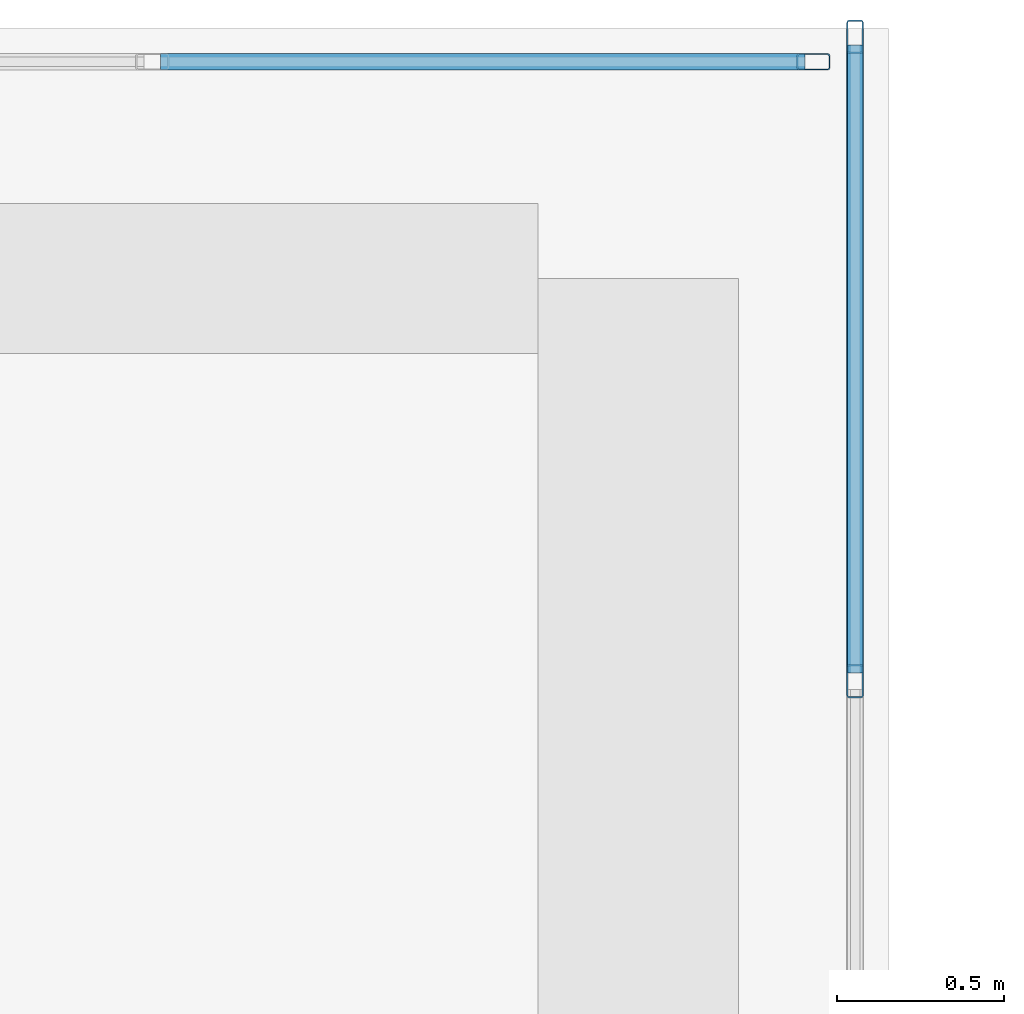
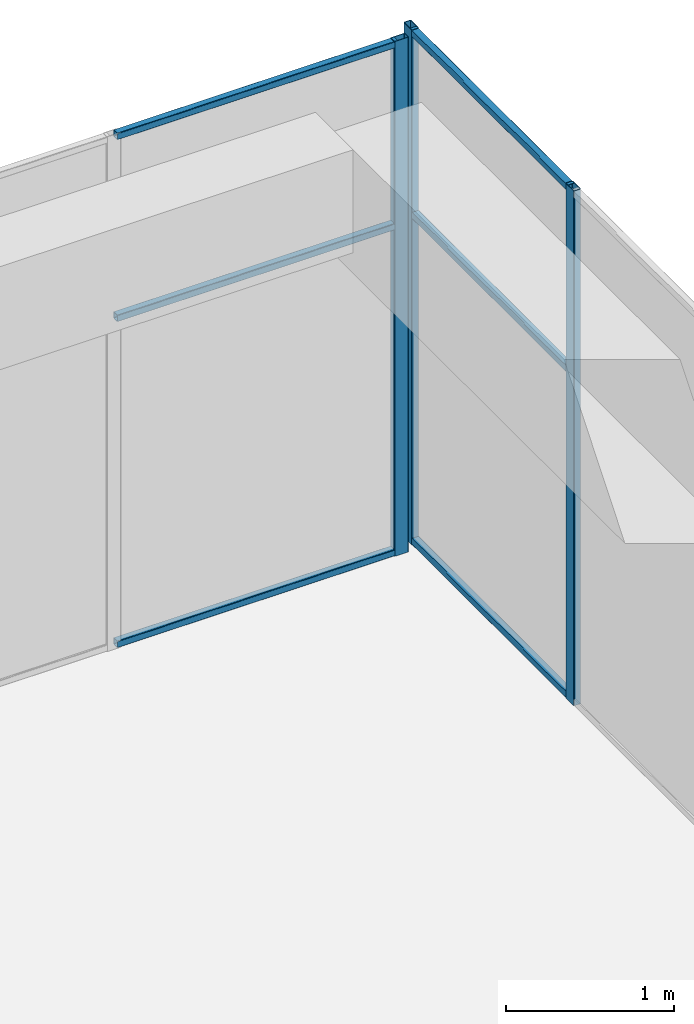
# One storey, part 27 of 34: 9 members, 2 elements without a shape of their own.
"""IFC4 building model written with IfcOpenShell, lengths in metres."""

import ifcopenshell
import ifcopenshell.guid

model = None  # the IFC model being written
_history = None  # IfcOwnerHistory: only IFC2X3 demands one
_inside = {}  # id of a spatial element -> (the spatial element, [elements in it])
_under = {}  # id of a project, library or spatial element -> (it, [spatial elements below it])
_declared = {}  # id of a project -> (the project, [libraries it declares])
_typed = {}  # id of a type object -> (the type object, [elements of that type])
_made_of = {}  # id of a material, layer set ... -> (it, [elements and type objects made of it])


def new_model(schema):
    """Start an empty IFC model of exactly this schema.

    Asked for "IFC4X3", IfcOpenShell would pick the latest addendum, in which some entities
    have other attributes; the version numbers below select the first issue.
    IFC2X3 requires an IfcOwnerHistory on every rooted entity: one is made here for all.
    """
    global model, _history
    if schema == "IFC4X3":
        model = ifcopenshell.file(schema_version=(4, 3, 0, 0))
    else:
        model = ifcopenshell.file(schema=schema)
    _inside.clear()
    _under.clear()
    _declared.clear()
    _typed.clear()
    _made_of.clear()
    _history = None
    if model.schema == "IFC2X3":
        org = make("IfcOrganization", Name="unknown")
        user = make(
            "IfcPersonAndOrganization",
            ThePerson=make("IfcPerson", FamilyName="unknown"),
            TheOrganization=org,
        )
        app = make(
            "IfcApplication",
            ApplicationDeveloper=org,
            Version="unknown",
            ApplicationFullName="unknown",
            ApplicationIdentifier="unknown",
        )
        _history = make(
            "IfcOwnerHistory",
            OwningUser=user,
            OwningApplication=app,
            ChangeAction="ADDED",
            CreationDate=0,
        )
    return model


def make(cls, **values):
    """One entity of the class cls with the attributes given. An attribute that is None is left unset."""
    return model.create_entity(
        cls, **{name: value for name, value in values.items() if value is not None}
    )


def rooted(cls, **values):
    """An entity with a GlobalId (a new one), such as an element, a storey or a relation."""
    return make(cls, GlobalId=ifcopenshell.guid.new(), OwnerHistory=_history, **values)


def si_unit(unit_type, name, prefix=None):
    """IfcSIUnit, for example si_unit("LENGTHUNIT", "METRE", prefix="MILLI")."""
    return make("IfcSIUnit", UnitType=unit_type, Prefix=prefix, Name=name)


def assignment(units):
    """IfcUnitAssignment: the units of a project."""
    return None if units is None else make("IfcUnitAssignment", Units=units)


def point(xyz):
    """IfcCartesianPoint."""
    return None if xyz is None else make("IfcCartesianPoint", Coordinates=xyz)


def direction(xyz):
    """IfcDirection."""
    return None if xyz is None else make("IfcDirection", DirectionRatios=xyz)


def frame(location, z_axis=None, x_axis=None):
    """IfcAxis2Placement3D, a coordinate frame: its origin and axes. An axis left out is left unset."""
    return make(
        "IfcAxis2Placement3D",
        Location=point(location),
        Axis=direction(z_axis),
        RefDirection=direction(x_axis),
    )


def frame_2d(location, x_axis=None):
    """IfcAxis2Placement2D, a coordinate frame in the plane: its origin and x axis."""
    return make(
        "IfcAxis2Placement2D", Location=point(location), RefDirection=direction(x_axis)
    )


def origin():
    """The frame at (0, 0, 0) with its axes left unset."""
    return frame((0.0, 0.0, 0.0))


def origin_2d():
    """The frame at (0, 0) in the plane with its x axis left unset."""
    return frame_2d((0.0, 0.0))


def place(relative_to, where):
    """IfcLocalPlacement: puts the frame where relative to a parent placement (None: the world)."""
    return make(
        "IfcLocalPlacement", PlacementRelTo=relative_to, RelativePlacement=where
    )


def context(
    kind, dimensions, precision=None, world=None, true_north=None, identifier=None
):
    """IfcGeometricRepresentationContext, for example the 3D "Model" context."""
    return make(
        "IfcGeometricRepresentationContext",
        ContextIdentifier=identifier,
        ContextType=kind,
        CoordinateSpaceDimension=dimensions,
        Precision=precision,
        WorldCoordinateSystem=world,
        TrueNorth=true_north,
    )


def subcontext(parent, identifier, kind, view, scale=None):
    """IfcGeometricRepresentationSubContext, for example "Body" below "Model"."""
    return make(
        "IfcGeometricRepresentationSubContext",
        ContextIdentifier=identifier,
        ContextType=kind,
        ParentContext=parent,
        TargetScale=scale,
        TargetView=view,
    )


def project(units=None, contexts=None):
    """IfcProject with its units and contexts."""
    return rooted(
        "IfcProject",
        Name="project",
        RepresentationContexts=contexts,
        UnitsInContext=assignment(units),
    )


def spatial(cls, under=None, at=None, **own):
    """A site, building, storey or space (cls), placed at a placement, below another one or the project."""
    s = rooted(cls, ObjectPlacement=at, **own)
    if under is not None:
        _under.setdefault(under.id(), (under, []))[1].append(s)
    return s


def profile(cls, at=None, kind="AREA", **sizes):
    """A parametric profile (cls). Its sizes go by their IFC names, for example OverallWidth=200.0."""
    return make(cls, ProfileType=kind, Position=at, **sizes)


def hollow_rectangle(**sizes):
    """IfcRectangleHollowProfileDef."""
    return profile("IfcRectangleHollowProfileDef", **sizes)


def extrude(swept, where, along, depth):
    """IfcExtrudedAreaSolid: the profile swept, set in the frame where, extruded along a direction by depth."""
    return make(
        "IfcExtrudedAreaSolid",
        SweptArea=swept,
        Position=where,
        ExtrudedDirection=direction(along),
        Depth=depth,
    )


def shape(context_of_items, identifier, shape_type, items):
    """IfcShapeRepresentation: the items that make up one representation, for example the "Body"."""
    return make(
        "IfcShapeRepresentation",
        ContextOfItems=context_of_items,
        RepresentationIdentifier=identifier,
        RepresentationType=shape_type,
        Items=items,
    )


def material(Name=None, Category=None):
    """IfcMaterial."""
    return make("IfcMaterial", Name=Name, Category=Category)


def layer(
    of_material, thickness, ventilated=None, Name=None, Category=None, Priority=None
):
    """IfcMaterialLayer: one layer of a wall or slab, of a material (None: an air gap)."""
    return make(
        "IfcMaterialLayer",
        Material=of_material,
        LayerThickness=thickness,
        IsVentilated=ventilated,
        Name=Name,
        Category=Category,
        Priority=Priority,
    )


def layer_set(layers, Name=None):
    """IfcMaterialLayerSet."""
    return make("IfcMaterialLayerSet", MaterialLayers=layers, LayerSetName=Name)


def material_profile(
    of_material, cross_section, Name=None, Category=None, Priority=None
):
    """IfcMaterialProfile: a cross section and its material."""
    return make(
        "IfcMaterialProfile",
        Name=Name,
        Material=of_material,
        Profile=cross_section,
        Priority=Priority,
        Category=Category,
    )


def profile_set(profiles, Name=None, composite=None):
    """IfcMaterialProfileSet."""
    return make(
        "IfcMaterialProfileSet",
        Name=Name,
        MaterialProfiles=profiles,
        CompositeProfile=composite,
    )


def made_of(thing, what):
    """Note that an element or type object is made of a material, layer set ...; save() writes the relation."""
    if what is not None:
        _made_of.setdefault(what.id(), (what, []))[1].append(thing)
    return thing


def type_object(cls, material=None, **own):
    """A type object (cls), such as IfcWallType, which elements share."""
    return made_of(rooted(cls, **own), material)


def element(
    cls,
    number,
    at=None,
    inside=None,
    cuts=None,
    type_object=None,
    material=None,
    context=None,
    identifier="Body",
    shape_type=None,
    held_by="IfcProductDefinitionShape",
    body=None,
    shapes=None,
    **own,
):
    """One element of the class cls, such as IfcWall. Its Tag is "e" and its number.

    at: its placement. inside: the storey or other place that contains it. cuts: it is an
    opening in that element (IfcRelVoidsElement). A single representation is given by context,
    identifier, shape_type and body (its items); several are given by shapes. held_by: the class
    of the entity that holds the representations. save() writes the other relations.
    """
    e = rooted(cls, Tag="e%d" % number, ObjectPlacement=at, **own)
    if body is not None:
        shapes = [shape(context, identifier, shape_type, body)]
    if shapes is not None:
        e.Representation = make(held_by, Representations=shapes)
    if inside is not None:
        _inside.setdefault(inside.id(), (inside, []))[1].append(e)
    if cuts is not None:
        rooted(
            "IfcRelVoidsElement", RelatingBuildingElement=cuts, RelatedOpeningElement=e
        )
    if type_object is not None:
        _typed.setdefault(type_object.id(), (type_object, []))[1].append(e)
    return made_of(e, material)


def aggregate(whole, parts):
    """IfcRelAggregates: a whole, such as a stair, and the parts it consists of."""
    return rooted("IfcRelAggregates", RelatingObject=whole, RelatedObjects=parts)


def save(model, path):
    """Write the relations noted so far, then the file.

    IfcRelAggregates (storeys below a building ...), IfcRelContainedInSpatialStructure (elements
    in a storey), IfcRelDefinesByType, IfcRelAssociatesMaterial and IfcRelDeclares: one each for
    every whole, place, type object, material and project.
    """
    for whole, parts in _under.values():
        aggregate(whole, parts)
    for where, things in _inside.values():
        rooted(
            "IfcRelContainedInSpatialStructure",
            RelatedElements=things,
            RelatingStructure=where,
        )
    for kind, things in _typed.values():
        rooted("IfcRelDefinesByType", RelatedObjects=things, RelatingType=kind)
    for what, things in _made_of.values():
        rooted("IfcRelAssociatesMaterial", RelatedObjects=things, RelatingMaterial=what)
    for by, libraries in _declared.values():
        rooted("IfcRelDeclares", RelatingContext=by, RelatedDefinitions=libraries)
    model.write(path)


model = new_model("IFC4")

# Units and contexts
model_context = context("Model", 3, precision=1e-05, world=origin(), true_north=direction((0.0, 1.0)))
body_context = subcontext(model_context, "Body", "Model", "MODEL_VIEW")
ifc_project = project(units=[si_unit("LENGTHUNIT", "METRE"), si_unit("AREAUNIT", "SQUARE_METRE"), si_unit("VOLUMEUNIT", "CUBIC_METRE"), si_unit("PLANEANGLEUNIT", "RADIAN"), si_unit("MASSUNIT", "GRAM", prefix="KILO")], contexts=[model_context])

# Site, building, storey
site_placement = place(None, origin())
site = spatial("IfcSite", under=ifc_project, at=site_placement, CompositionType="ELEMENT")
building_placement = place(site_placement, origin())
building = spatial("IfcBuilding", under=site, at=building_placement, Name="Tuart Plaza Theatre", CompositionType="ELEMENT")
storey_placement = place(building_placement, frame((0.0, 0.0, 57.5)))
storey = spatial("IfcBuildingStorey", under=building, at=storey_placement, Name="L14", CompositionType="ELEMENT", Elevation=57.5)

# Curtain wall, members
ifc_material_1 = material(Name="Aluminium and glass", Category="aluminium")
ifc_layer = layer(ifc_material_1, 0.10009765625)
ifc_layer_set = layer_set([ifc_layer], Name="CURTAIN WALL 2000 module")
curtain_wall_type = type_object("IfcCurtainWallType", Name="CURTAIN WALL 2000 module", PredefinedType="NOTDEFINED", material=ifc_layer_set)
curtain_wall_1_placement = place(storey_placement, origin())
curtain_wall_1 = element("IfcCurtainWall", 1, at=curtain_wall_1_placement, inside=storey, type_object=curtain_wall_type, Name="CW116", PredefinedType="NOTDEFINED")
ifc_material_2 = material(Name="Aluminium 6063-T5", Category="aluminium")
ifc_material_profile_1 = material_profile(ifc_material_2, hollow_rectangle(XDim=0.050048828125, YDim=0.10009765625, WallThickness=0.00390625, InnerFilletRadius=0.00390625, OuterFilletRadius=0.008056640625, at=origin_2d()), Name="RHS 100x50x4")
ifc_profile_set_1 = profile_set([ifc_material_profile_1], Name="Aluminium 6063-T5")
member_type_1 = type_object("IfcMemberType", Name="MULLION RHS 100x50x4", PredefinedType="MULLION", material=ifc_profile_set_1)
member_1_placement = place(storey_placement, frame((141.64990234375, 95.29296875, 0.0), z_axis=(0.0, 0.0, 1.0), x_axis=(-1.0, 0.0, 0.0)))
member_1 = element("IfcMember", 2, at=member_1_placement, type_object=member_type_1, Name="CW116 mullion 7", PredefinedType="MULLION", context=body_context, shape_type="SweptSolid", body=[
    extrude(hollow_rectangle(XDim=0.050048828125, YDim=0.10009765625, WallThickness=0.00390625, InnerFilletRadius=0.00390625, OuterFilletRadius=0.008056640625, at=origin_2d()), origin(), (0.0, 0.0, 1.0), 3.75),
])
member_2_placement = place(storey_placement, frame((141.64990234375, 97.22509765625, 0.0), z_axis=(0.0, 0.0, 1.0), x_axis=(-1.0, 0.0, 0.0)))
member_2 = element("IfcMember", 3, at=member_2_placement, type_object=member_type_1, Name="CW116 mullion 8", PredefinedType="MULLION", context=body_context, shape_type="SweptSolid", body=[
    extrude(hollow_rectangle(XDim=0.050048828125, YDim=0.10009765625, WallThickness=0.00390625, InnerFilletRadius=0.00390625, OuterFilletRadius=0.008056640625, at=origin_2d()), origin(), (0.0, 0.0, 1.0), 3.75),
])

# Curtain wall, member
curtain_wall_2_placement = place(storey_placement, origin())
curtain_wall_2 = element("IfcCurtainWall", 4, at=curtain_wall_2_placement, inside=storey, type_object=curtain_wall_type, Name="CW117", PredefinedType="NOTDEFINED")
member_3_placement = place(storey_placement, frame((141.52490234375, 97.14990234375, 0.0), z_axis=(0.0, 0.0, 1.0), x_axis=(0.0, -1.0, 0.0)))
member_3 = element("IfcMember", 5, at=member_3_placement, type_object=member_type_1, Name="CW117 mullion 1", PredefinedType="MULLION", context=body_context, shape_type="SweptSolid", body=[
    extrude(hollow_rectangle(XDim=0.050048828125, YDim=0.10009765625, WallThickness=0.00390625, InnerFilletRadius=0.00390625, OuterFilletRadius=0.008056640625, at=origin_2d()), origin(), (0.0, 0.0, 1.0), 3.75),
])

# Member
ifc_material_3 = material(Name="Aluminium 6063-T5", Category="aluminium")
ifc_material_profile_2 = material_profile(ifc_material_3, hollow_rectangle(XDim=0.050048828125, YDim=0.050048828125, WallThickness=0.00390625, InnerFilletRadius=0.00390625, OuterFilletRadius=0.008056640625, at=origin_2d()), Name="RHS 50x50x4")
ifc_profile_set_2 = profile_set([ifc_material_profile_2], Name="Aluminium 6063-T5")
member_type_2 = type_object("IfcMemberType", Name="TRANSOM RHS 50x50x4", PredefinedType="USERDEFINED", material=ifc_profile_set_2)
member_4_placement = place(storey_placement, frame((141.64990234375, 95.31787109375, 0.02490234375), z_axis=(0.0, 1.0, 0.0), x_axis=(-1.0, 0.0, 0.0)))
member_4 = element("IfcMember", 6, at=member_4_placement, type_object=member_type_2, Name="CW116 transom 7.1", ObjectType="TRANSOM", PredefinedType="USERDEFINED", context=body_context, shape_type="SweptSolid", body=[
    extrude(hollow_rectangle(XDim=0.050048828125, YDim=0.050048828125, WallThickness=0.00390625, InnerFilletRadius=0.00390625, OuterFilletRadius=0.008056640625, at=origin_2d()), origin(), (0.0, 0.0, 1.0), 1.882080078125),
])

member_5_placement = place(storey_placement, frame((141.64990234375, 95.31787109375, 2.39990234375), z_axis=(0.0, 1.0, 0.0), x_axis=(-1.0, 0.0, 0.0)))
member_5 = element("IfcMember", 7, at=member_5_placement, type_object=member_type_2, Name="CW116 transom 7.2", ObjectType="TRANSOM", PredefinedType="USERDEFINED", context=body_context, shape_type="SweptSolid", body=[
    extrude(hollow_rectangle(XDim=0.050048828125, YDim=0.050048828125, WallThickness=0.00390625, InnerFilletRadius=0.00390625, OuterFilletRadius=0.008056640625, at=origin_2d()), origin(), (0.0, 0.0, 1.0), 1.882080078125),
])

member_6_placement = place(storey_placement, frame((141.64990234375, 95.31787109375, 3.72509765625), z_axis=(0.0, 1.0, 0.0), x_axis=(-1.0, 0.0, 0.0)))
member_6 = element("IfcMember", 8, at=member_6_placement, type_object=member_type_2, Name="CW116 transom 7.3", ObjectType="TRANSOM", PredefinedType="USERDEFINED", context=body_context, shape_type="SweptSolid", body=[
    extrude(hollow_rectangle(XDim=0.050048828125, YDim=0.050048828125, WallThickness=0.00390625, InnerFilletRadius=0.00390625, OuterFilletRadius=0.008056640625, at=origin_2d()), origin(), (0.0, 0.0, 1.0), 1.882080078125),
])

aggregate(curtain_wall_1, [member_1, member_2, member_4, member_5, member_6])

member_7_placement = place(storey_placement, frame((141.5, 97.14990234375, 0.02490234375), z_axis=(-1.0, 0.0, 0.0), x_axis=(0.0, -1.0, 0.0)))
member_7 = element("IfcMember", 9, at=member_7_placement, type_object=member_type_2, Name="CW117 transom 1.1", ObjectType="TRANSOM", PredefinedType="USERDEFINED", context=body_context, shape_type="SweptSolid", body=[
    extrude(hollow_rectangle(XDim=0.050048828125, YDim=0.050048828125, WallThickness=0.00390625, InnerFilletRadius=0.00390625, OuterFilletRadius=0.008056640625, at=origin_2d()), origin(), (0.0, 0.0, 1.0), 1.93212890625),
])

member_8_placement = place(storey_placement, frame((141.5, 97.14990234375, 2.39990234375), z_axis=(-1.0, 0.0, 0.0), x_axis=(0.0, -1.0, 0.0)))
member_8 = element("IfcMember", 10, at=member_8_placement, type_object=member_type_2, Name="CW117 transom 1.2", ObjectType="TRANSOM", PredefinedType="USERDEFINED", context=body_context, shape_type="SweptSolid", body=[
    extrude(hollow_rectangle(XDim=0.050048828125, YDim=0.050048828125, WallThickness=0.00390625, InnerFilletRadius=0.00390625, OuterFilletRadius=0.008056640625, at=origin_2d()), origin(), (0.0, 0.0, 1.0), 1.93212890625),
])

member_9_placement = place(storey_placement, frame((141.5, 97.14990234375, 3.72509765625), z_axis=(-1.0, 0.0, 0.0), x_axis=(0.0, -1.0, 0.0)))
member_9 = element("IfcMember", 11, at=member_9_placement, type_object=member_type_2, Name="CW117 transom 1.3", ObjectType="TRANSOM", PredefinedType="USERDEFINED", context=body_context, shape_type="SweptSolid", body=[
    extrude(hollow_rectangle(XDim=0.050048828125, YDim=0.050048828125, WallThickness=0.00390625, InnerFilletRadius=0.00390625, OuterFilletRadius=0.008056640625, at=origin_2d()), origin(), (0.0, 0.0, 1.0), 1.93212890625),
])

aggregate(curtain_wall_2, [member_3, member_7, member_8, member_9])

save(model, "model.ifc")
